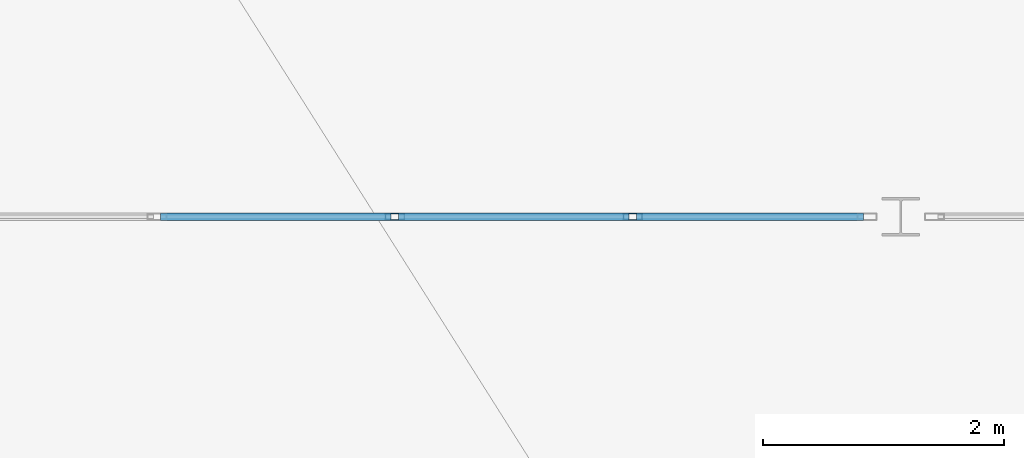
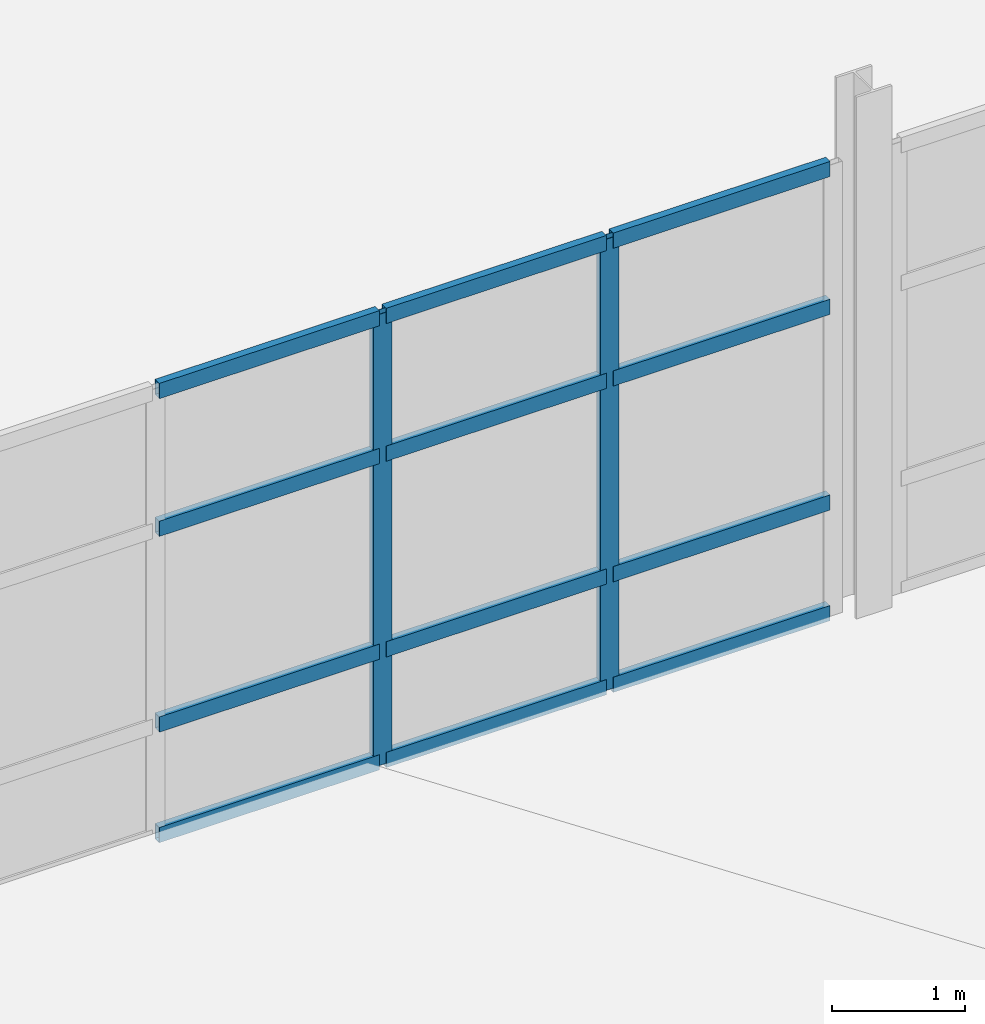
# One storey, part 4 of 14: 14 members, 1 element without a shape of its own.
"""IFC4 building model written with IfcOpenShell, lengths in metres."""

from ifc_helpers import new_model, si_unit, direction, frame, origin, origin_2d, place, context, subcontext, project, spatial, hollow_rectangle, extrude, material, layer, layer_set, material_profile, profile_set, type_object, element, aggregate, save


model = new_model("IFC4")

# Units and contexts
model_context = context("Model", 3, precision=1e-05, world=origin(), true_north=direction((0.0, 1.0)))
body_context = subcontext(model_context, "Body", "Model", "MODEL_VIEW")
ifc_project = project(units=[si_unit("LENGTHUNIT", "METRE"), si_unit("AREAUNIT", "SQUARE_METRE"), si_unit("VOLUMEUNIT", "CUBIC_METRE"), si_unit("PLANEANGLEUNIT", "RADIAN"), si_unit("MASSUNIT", "GRAM", prefix="KILO")], contexts=[model_context])

# Site, building, storey
site_placement = place(None, origin())
site = spatial("IfcSite", under=ifc_project, at=site_placement, CompositionType="ELEMENT")
building_placement = place(site_placement, origin())
building = spatial("IfcBuilding", under=site, at=building_placement, Name="Selat Folded Stagehouse", CompositionType="ELEMENT")
storey_placement = place(building_placement, frame((0.0, 0.0, 27.60009765625)))
storey = spatial("IfcBuildingStorey", under=building, at=storey_placement, Name="L06", CompositionType="ELEMENT", Elevation=27.60009765625)

# Curtain wall, members
ifc_material = material(Name="Aluminium 6063-T6", Category="aluminium")
ifc_layer = layer(ifc_material, 0.175048828125)
ifc_layer_set = layer_set([ifc_layer], Name="Aluminium 6063-T6")
curtain_wall_type = type_object("IfcCurtainWallType", Name="CW-BRG-GLAZ", PredefinedType="NOTDEFINED", material=ifc_layer_set)
curtain_wall_placement = place(storey_placement, origin())
curtain_wall = element("IfcCurtainWall", 1, at=curtain_wall_placement, inside=storey, type_object=curtain_wall_type, Name="L06 curtain wall CW-BRG-24", PredefinedType="NOTDEFINED")
ifc_material_profile_1 = material_profile(ifc_material, hollow_rectangle(XDim=0.06005859375, YDim=0.159912109375, WallThickness=0.00390625, at=origin_2d()), Name="ALU 160x60x4.0")
ifc_profile_set_1 = profile_set([ifc_material_profile_1], Name="Aluminium 6063-T6")
member_type_1 = type_object("IfcMemberType", Name="CWM-MUL-160x60", PredefinedType="MULLION", material=ifc_profile_set_1)
member_1_placement = place(storey_placement, frame((22.97509765625, 23.39990234375, 0.0), z_axis=(0.0, 0.0, 1.0), x_axis=(0.0, -1.0, 0.0)))
member_1 = element("IfcMember", 2, at=member_1_placement, type_object=member_type_1, Name="CW-07 mullion 2", PredefinedType="MULLION", context=body_context, shape_type="SweptSolid", body=[
    extrude(hollow_rectangle(XDim=0.06005859375, YDim=0.159912109375, WallThickness=0.00390625, at=origin_2d()), origin(), (0.0, 0.0, 1.0), 4.14990234375),
])
member_2_placement = place(storey_placement, frame((21.0, 23.39990234375, 0.0), z_axis=(0.0, 0.0, 1.0), x_axis=(0.0, -1.0, 0.0)))
member_2 = element("IfcMember", 3, at=member_2_placement, type_object=member_type_1, Name="CW-07 mullion 3", PredefinedType="MULLION", context=body_context, shape_type="SweptSolid", body=[
    extrude(hollow_rectangle(XDim=0.06005859375, YDim=0.159912109375, WallThickness=0.00390625, at=origin_2d()), origin(), (0.0, 0.0, 1.0), 4.14990234375),
])
ifc_material_profile_2 = material_profile(ifc_material, hollow_rectangle(XDim=0.06494140625, YDim=0.139892578125, WallThickness=0.00390625, at=origin_2d()), Name="ALU 140x65x4.0")
ifc_profile_set_2 = profile_set([ifc_material_profile_2], Name="Aluminium 6063-T6")
member_type_2 = type_object("IfcMemberType", Name="CWM-TRN-140x65", PredefinedType="USERDEFINED", material=ifc_profile_set_2)
member_3_placement = place(storey_placement, frame((24.889892578125, 23.39990234375, 0.032470703125), z_axis=(-1.0, 0.0, 0.0), x_axis=(0.0, -1.0, 0.0)))
member_3 = element("IfcMember", 4, at=member_3_placement, type_object=member_type_2, Name="CW-07 transom 1.1", ObjectType="TRANSOM", PredefinedType="USERDEFINED", context=body_context, shape_type="SweptSolid", body=[
    extrude(hollow_rectangle(XDim=0.06494140625, YDim=0.139892578125, WallThickness=0.00390625, at=origin_2d()), origin(), (0.0, 0.0, 1.0), 1.885009765625),
])
member_4_placement = place(storey_placement, frame((24.889892578125, 23.39990234375, 1.0498046875), z_axis=(-1.0, 0.0, 0.0), x_axis=(0.0, -1.0, 0.0)))
member_4 = element("IfcMember", 5, at=member_4_placement, type_object=member_type_2, Name="CW-07 transom 1.2", ObjectType="TRANSOM", PredefinedType="USERDEFINED", context=body_context, shape_type="SweptSolid", body=[
    extrude(hollow_rectangle(XDim=0.06494140625, YDim=0.139892578125, WallThickness=0.00390625, at=origin_2d()), origin(), (0.0, 0.0, 1.0), 1.885009765625),
])
member_5_placement = place(storey_placement, frame((24.889892578125, 23.39990234375, 2.849853515625), z_axis=(-1.0, 0.0, 0.0), x_axis=(0.0, -1.0, 0.0)))
member_5 = element("IfcMember", 6, at=member_5_placement, type_object=member_type_2, Name="CW-07 transom 1.3", ObjectType="TRANSOM", PredefinedType="USERDEFINED", context=body_context, shape_type="SweptSolid", body=[
    extrude(hollow_rectangle(XDim=0.06494140625, YDim=0.139892578125, WallThickness=0.00390625, at=origin_2d()), origin(), (0.0, 0.0, 1.0), 1.885009765625),
])
member_6_placement = place(storey_placement, frame((24.889892578125, 23.39990234375, 4.117431640625), z_axis=(-1.0, 0.0, 0.0), x_axis=(0.0, -1.0, 0.0)))
member_6 = element("IfcMember", 7, at=member_6_placement, type_object=member_type_2, Name="CW-07 transom 1.4", ObjectType="TRANSOM", PredefinedType="USERDEFINED", context=body_context, shape_type="SweptSolid", body=[
    extrude(hollow_rectangle(XDim=0.06494140625, YDim=0.139892578125, WallThickness=0.00390625, at=origin_2d()), origin(), (0.0, 0.0, 1.0), 1.885009765625),
])
member_7_placement = place(storey_placement, frame((22.945068359375, 23.39990234375, 0.032470703125), z_axis=(-1.0, 0.0, 0.0), x_axis=(0.0, -1.0, 0.0)))
member_7 = element("IfcMember", 8, at=member_7_placement, type_object=member_type_2, Name="CW-07 transom 2.1", ObjectType="TRANSOM", PredefinedType="USERDEFINED", context=body_context, shape_type="SweptSolid", body=[
    extrude(hollow_rectangle(XDim=0.06494140625, YDim=0.139892578125, WallThickness=0.00390625, at=origin_2d()), origin(), (0.0, 0.0, 1.0), 1.9150390625),
])
member_8_placement = place(storey_placement, frame((22.945068359375, 23.39990234375, 1.0498046875), z_axis=(-1.0, 0.0, 0.0), x_axis=(0.0, -1.0, 0.0)))
member_8 = element("IfcMember", 9, at=member_8_placement, type_object=member_type_2, Name="CW-07 transom 2.2", ObjectType="TRANSOM", PredefinedType="USERDEFINED", context=body_context, shape_type="SweptSolid", body=[
    extrude(hollow_rectangle(XDim=0.06494140625, YDim=0.139892578125, WallThickness=0.00390625, at=origin_2d()), origin(), (0.0, 0.0, 1.0), 1.9150390625),
])
member_9_placement = place(storey_placement, frame((22.945068359375, 23.39990234375, 2.849853515625), z_axis=(-1.0, 0.0, 0.0), x_axis=(0.0, -1.0, 0.0)))
member_9 = element("IfcMember", 10, at=member_9_placement, type_object=member_type_2, Name="CW-07 transom 2.3", ObjectType="TRANSOM", PredefinedType="USERDEFINED", context=body_context, shape_type="SweptSolid", body=[
    extrude(hollow_rectangle(XDim=0.06494140625, YDim=0.139892578125, WallThickness=0.00390625, at=origin_2d()), origin(), (0.0, 0.0, 1.0), 1.9150390625),
])
member_10_placement = place(storey_placement, frame((22.945068359375, 23.39990234375, 4.117431640625), z_axis=(-1.0, 0.0, 0.0), x_axis=(0.0, -1.0, 0.0)))
member_10 = element("IfcMember", 11, at=member_10_placement, type_object=member_type_2, Name="CW-07 transom 2.4", ObjectType="TRANSOM", PredefinedType="USERDEFINED", context=body_context, shape_type="SweptSolid", body=[
    extrude(hollow_rectangle(XDim=0.06494140625, YDim=0.139892578125, WallThickness=0.00390625, at=origin_2d()), origin(), (0.0, 0.0, 1.0), 1.9150390625),
])
member_11_placement = place(storey_placement, frame((20.969970703125, 23.39990234375, 0.032470703125), z_axis=(-1.0, 0.0, 0.0), x_axis=(0.0, -1.0, 0.0)))
member_11 = element("IfcMember", 12, at=member_11_placement, type_object=member_type_2, Name="CW-07 transom 3.1", ObjectType="TRANSOM", PredefinedType="USERDEFINED", context=body_context, shape_type="SweptSolid", body=[
    extrude(hollow_rectangle(XDim=0.06494140625, YDim=0.139892578125, WallThickness=0.00390625, at=origin_2d()), origin(), (0.0, 0.0, 1.0), 1.9150390625),
])
member_12_placement = place(storey_placement, frame((20.969970703125, 23.39990234375, 1.0498046875), z_axis=(-1.0, 0.0, 0.0), x_axis=(0.0, -1.0, 0.0)))
member_12 = element("IfcMember", 13, at=member_12_placement, type_object=member_type_2, Name="CW-07 transom 3.2", ObjectType="TRANSOM", PredefinedType="USERDEFINED", context=body_context, shape_type="SweptSolid", body=[
    extrude(hollow_rectangle(XDim=0.06494140625, YDim=0.139892578125, WallThickness=0.00390625, at=origin_2d()), origin(), (0.0, 0.0, 1.0), 1.9150390625),
])
member_13_placement = place(storey_placement, frame((20.969970703125, 23.39990234375, 2.849853515625), z_axis=(-1.0, 0.0, 0.0), x_axis=(0.0, -1.0, 0.0)))
member_13 = element("IfcMember", 14, at=member_13_placement, type_object=member_type_2, Name="CW-07 transom 3.3", ObjectType="TRANSOM", PredefinedType="USERDEFINED", context=body_context, shape_type="SweptSolid", body=[
    extrude(hollow_rectangle(XDim=0.06494140625, YDim=0.139892578125, WallThickness=0.00390625, at=origin_2d()), origin(), (0.0, 0.0, 1.0), 1.9150390625),
])
member_14_placement = place(storey_placement, frame((20.969970703125, 23.39990234375, 4.117431640625), z_axis=(-1.0, 0.0, 0.0), x_axis=(0.0, -1.0, 0.0)))
member_14 = element("IfcMember", 15, at=member_14_placement, type_object=member_type_2, Name="CW-07 transom 3.4", ObjectType="TRANSOM", PredefinedType="USERDEFINED", context=body_context, shape_type="SweptSolid", body=[
    extrude(hollow_rectangle(XDim=0.06494140625, YDim=0.139892578125, WallThickness=0.00390625, at=origin_2d()), origin(), (0.0, 0.0, 1.0), 1.9150390625),
])
aggregate(curtain_wall, [member_1, member_2, member_3, member_4, member_5, member_6, member_7, member_8, member_9, member_10, member_11, member_12, member_13, member_14])

save(model, "model.ifc")
